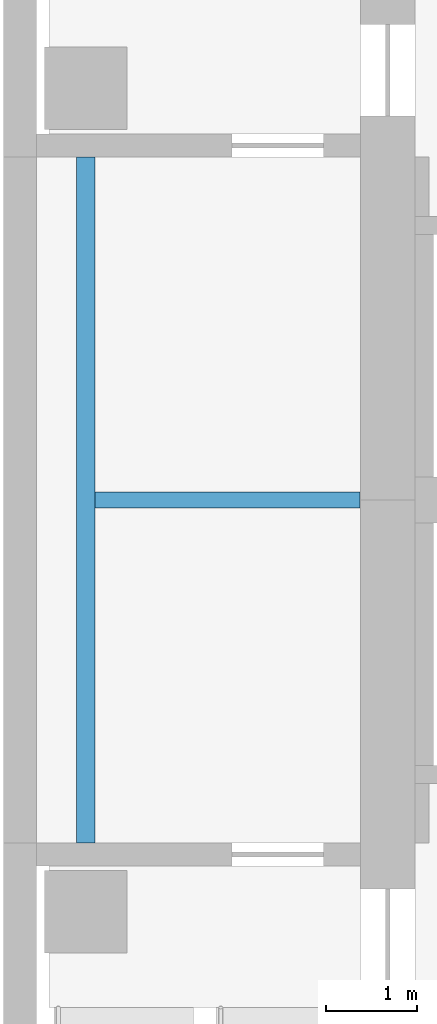
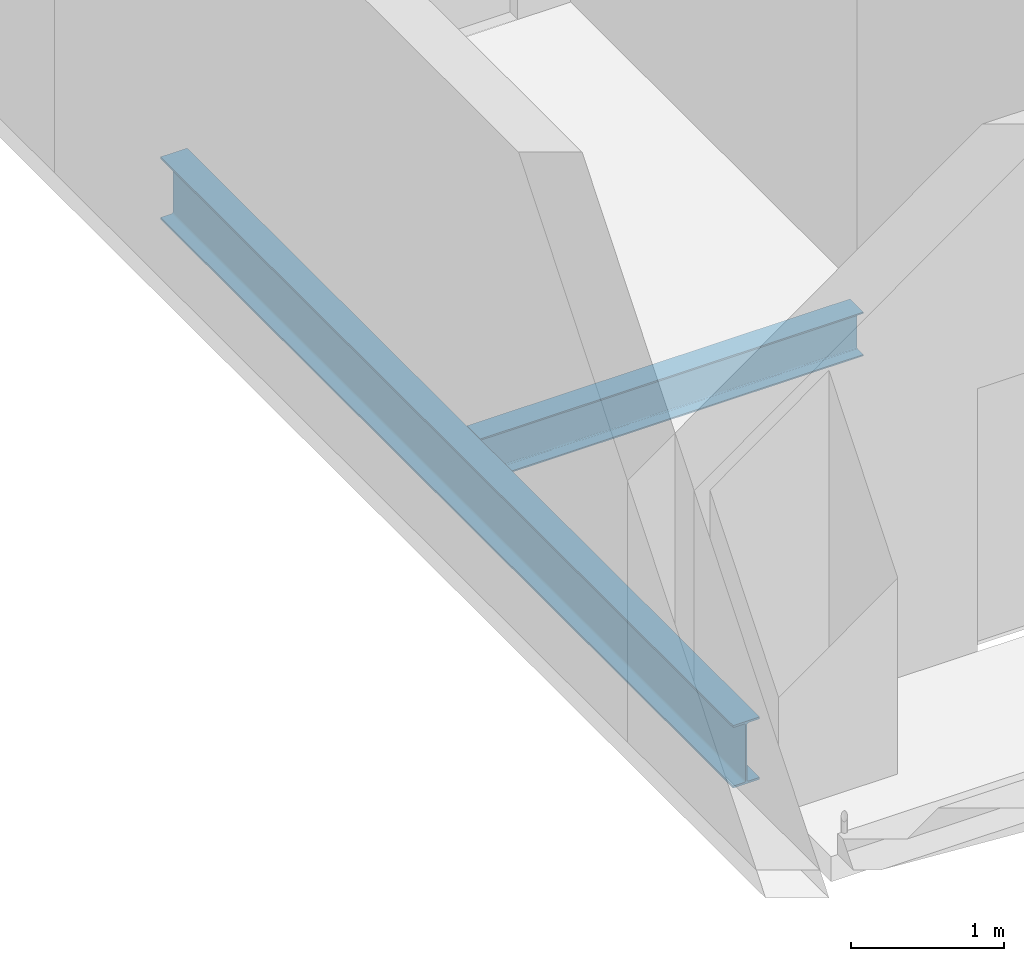
# One storey, part 4 of 29: 2 beams.
"""IFC4 building model written with IfcOpenShell, lengths in metres."""

from ifc_helpers import new_model, si_unit, direction, frame, origin, origin_2d, place, context, subcontext, project, spatial, i_section, extrude, material, material_profile, profile_set, type_object, element, save


model = new_model("IFC4")

# Units and contexts
model_context = context("Model", 3, precision=1e-05, world=origin(), true_north=direction((0.0, 1.0)))
body_context = subcontext(model_context, "Body", "Model", "MODEL_VIEW")
ifc_project = project(units=[si_unit("LENGTHUNIT", "METRE"), si_unit("AREAUNIT", "SQUARE_METRE"), si_unit("VOLUMEUNIT", "CUBIC_METRE"), si_unit("PLANEANGLEUNIT", "RADIAN"), si_unit("MASSUNIT", "GRAM", prefix="KILO")], contexts=[model_context])

# Site, building, storey
site_placement = place(None, origin())
site = spatial("IfcSite", under=ifc_project, at=site_placement, CompositionType="ELEMENT")
building_placement = place(site_placement, origin())
building = spatial("IfcBuilding", under=site, at=building_placement, Name="Cinnabar Reach Civic Tower", CompositionType="ELEMENT")
storey_placement = place(building_placement, frame((0.0, 0.0, 149.0)))
storey = spatial("IfcBuildingStorey", under=building, at=storey_placement, Name="L35", CompositionType="ELEMENT", Elevation=149.0)

# Beams
ifc_material = material(Name="Steel Q355B", Category="steel")
ifc_material_profile_1 = material_profile(ifc_material, i_section(OverallWidth=0.175, OverallDepth=0.35, WebThickness=0.007, FlangeThickness=0.011, FilletRadius=0.013, at=origin_2d()), Name="HN350x175x7x11")
ifc_profile_set_1 = profile_set([ifc_material_profile_1], Name="Steel Q355B")
beam_type_1 = type_object("IfcBeamType", Name="HN350x175x7x11 beam R 180", PredefinedType="BEAM", material=ifc_profile_set_1)
beam_1_placement = place(storey_placement, frame((1.002, 31.5, -0.325), z_axis=(1.0, 0.0, 0.0), x_axis=(0.0, 1.0, 0.0)))
element("IfcBeam", 1, at=beam_1_placement, inside=storey, type_object=beam_type_1, Name="Secondary beam T1 L35 11", PredefinedType="BEAM", context=body_context, shape_type="SweptSolid", body=[
    extrude(i_section(OverallWidth=0.175, OverallDepth=0.35, WebThickness=0.007, FlangeThickness=0.011, FilletRadius=0.013, at=origin_2d()), origin(), (0.0, 0.0, 1.0), 2.896),
])
ifc_material_profile_2 = material_profile(ifc_material, i_section(OverallWidth=0.2, OverallDepth=0.5, WebThickness=0.01, FlangeThickness=0.016, FilletRadius=0.016, at=origin_2d()), Name="HN500x200x10x16")
ifc_profile_set_2 = profile_set([ifc_material_profile_2], Name="Steel Q355B")
beam_type_2 = type_object("IfcBeamType", Name="HN500x200x10x16 beam R 180", PredefinedType="BEAM", material=ifc_profile_set_2)
beam_2_placement = place(storey_placement, frame((0.9, 35.248, -0.4), z_axis=(0.0, -1.0, 0.0), x_axis=(1.0, 0.0, 0.0)))
element("IfcBeam", 2, at=beam_2_placement, inside=storey, type_object=beam_type_2, Name="Edge beam T1 L35 18", PredefinedType="BEAM", context=body_context, shape_type="SweptSolid", body=[
    extrude(i_section(OverallWidth=0.2, OverallDepth=0.5, WebThickness=0.01, FlangeThickness=0.016, FilletRadius=0.016, at=origin_2d()), origin(), (0.0, 0.0, 1.0), 7.496),
])

save(model, "model.ifc")
